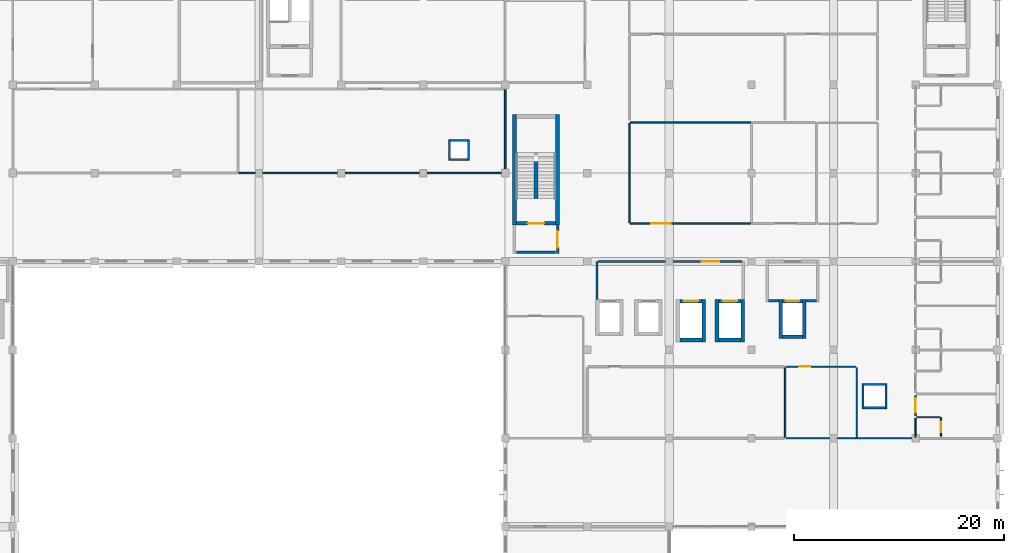
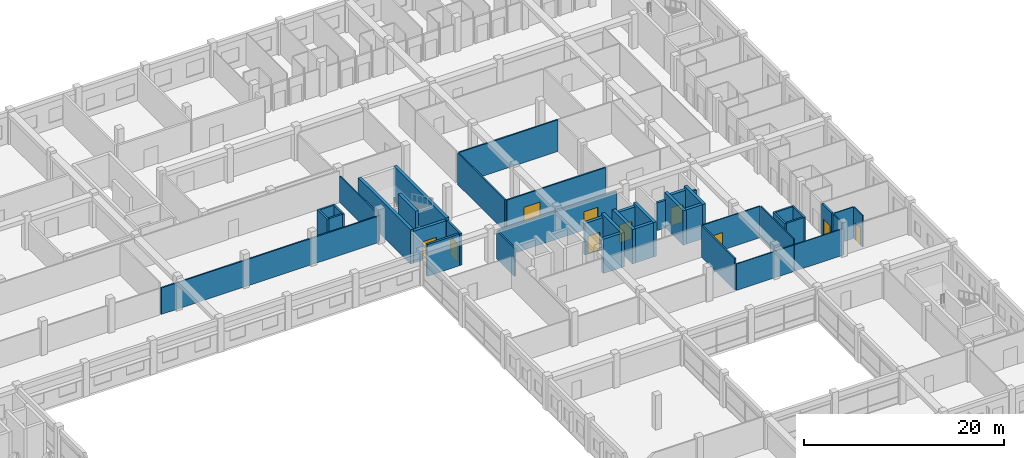
# One storey, part 34 of 53: 43 walls, 10 doors, 10 openings.
"""IFC4 building model written with IfcOpenShell, lengths in metres."""

from ifc_helpers import new_model, si_unit, direction, frame, frame_2d, origin, place, context, subcontext, project, spatial, rectangle, extrude, material, layer, layer_set, type_object, element, fill, save


model = new_model("IFC4")

# Units and contexts
model_context = context("Model", 3, precision=1e-05, world=origin(), true_north=direction((0.0, 1.0)))
body_context = subcontext(model_context, "Body", "Model", "MODEL_VIEW")
ifc_project = project(units=[si_unit("LENGTHUNIT", "METRE"), si_unit("AREAUNIT", "SQUARE_METRE"), si_unit("VOLUMEUNIT", "CUBIC_METRE"), si_unit("PLANEANGLEUNIT", "RADIAN"), si_unit("MASSUNIT", "GRAM", prefix="KILO"), si_unit("THERMODYNAMICTEMPERATUREUNIT", "KELVIN"), si_unit("POWERUNIT", "WATT")], contexts=[model_context])

# Site, building, storey
site_placement = place(None, origin())
site = spatial("IfcSite", under=ifc_project, at=site_placement, CompositionType="ELEMENT")
building_placement = place(site_placement, origin())
building = spatial("IfcBuilding", under=site, at=building_placement, Name="Srebrne Nadtorze General Hospital", CompositionType="ELEMENT")
storey_placement = place(building_placement, frame((0.0, 0.0, 18.0)))
storey = spatial("IfcBuildingStorey", under=building, at=storey_placement, Name="L04", CompositionType="ELEMENT", Elevation=18.0)

# Wall, opening, door
ifc_material_1 = material(Name="Gypsum Healthcare Partition")
ifc_layer_1 = layer(ifc_material_1, 0.159912109375)
ifc_layer_set_1 = layer_set([ifc_layer_1], Name="Gypsum Healthcare Partition")
wall_type_1 = type_object("IfcWallType", Name="Clinical partition 160", PredefinedType="PARTITIONING", material=ifc_layer_set_1)
wall_1_placement = place(storey_placement, frame((113.284912109375, 54.0, 0.0), z_axis=(0.0, 0.0, 1.0), x_axis=(1.0, 0.0, 0.0)))
wall_1 = element("IfcWall", 1, at=wall_1_placement, inside=storey, type_object=wall_type_1, Name="Nursing Station wall WL-INT-L04-1838", PredefinedType="PARTITIONING", context=body_context, shape_type="SweptSolid", body=[
    extrude(rectangle(XDim=11.43017578125, YDim=0.159912109375, at=frame_2d((5.715087890625, 0.0))), origin(), (0.0, 0.0, 1.0), 3.864990234375),
])
opening_1_placement = place(wall_1_placement, frame((1.99609375, 0.0, 0.0)))
opening_1 = element("IfcOpeningElement", 2, at=opening_1_placement, cuts=wall_1, Name="Opening D-L04-0349", PredefinedType="OPENING", context=body_context, shape_type="SweptSolid", body=[
    extrude(rectangle(XDim=1.85009765625, YDim=2.300048828125, at=frame_2d((0.925048828125, 1.14990234375))), frame((0.0, 0.091796875, 0.0), z_axis=(0.0, -1.0, 0.0), x_axis=(1.0, 0.0, 0.0)), (0.0, 0.0, 1.0), 0.183837890625),
])
ifc_material_2 = material(Name="Anodised Aluminium", Category="aluminium")
door_type_1 = type_object("IfcDoorType", Name="Double leaf door 1850x2300", OperationType="DOUBLE_DOOR_SINGLE_SWING", PredefinedType="DOOR", material=ifc_material_2)
door_1_placement = place(opening_1_placement, origin())
door_1 = element("IfcDoor", 3, at=door_1_placement, inside=storey, type_object=door_type_1, Name="Nursing Station door D-L04-0349", OperationType="DOUBLE_DOOR_SINGLE_SWING", OverallHeight=2.300048828125, OverallWidth=1.85009765625, PredefinedType="DOOR", context=body_context, shape_type="SweptSolid", body=[
    extrude(rectangle(XDim=1.85009765625, YDim=2.300048828125, at=frame_2d((0.925048828125, 1.14990234375))), frame((0.0, 0.02490234375, 0.0), z_axis=(0.0, -1.0, 0.0), x_axis=(1.0, 0.0, 0.0)), (0.0, 0.0, 1.0), 0.050048828125),
])
fill(opening_1, door_1)

# Walls
wall_2_placement = place(storey_placement, frame((113.284912109375, 63.60009765625, 0.0), z_axis=(0.0, 0.0, 1.0), x_axis=(1.0, 0.0, 0.0)))
element("IfcWall", 4, at=wall_2_placement, inside=storey, type_object=wall_type_1, Name="Nursing Station wall WL-INT-L04-1839", PredefinedType="PARTITIONING", context=body_context, shape_type="SweptSolid", body=[
    extrude(rectangle(XDim=11.43017578125, YDim=0.159912109375, at=frame_2d((5.715087890625, 0.0))), origin(), (0.0, 0.0, 1.0), 3.864990234375),
])
wall_3_placement = place(storey_placement, frame((113.199951171875, 54.0849609375, 0.0), z_axis=(0.0, 0.0, 1.0), x_axis=(0.0, 1.0, 0.0)))
element("IfcWall", 5, at=wall_3_placement, inside=storey, type_object=wall_type_1, Name="Nursing Station wall WL-INT-L04-1840", PredefinedType="PARTITIONING", context=body_context, shape_type="SweptSolid", body=[
    extrude(rectangle(XDim=9.429931640625, YDim=0.159912109375, at=frame_2d((4.71484375, 0.0))), origin(), (0.0, 0.0, 1.0), 3.864990234375),
])
wall_4_placement = place(storey_placement, frame((128.0, 33.68505859375, 0.0), z_axis=(0.0, 0.0, 1.0), x_axis=(0.0, 1.0, 0.0)))
element("IfcWall", 6, at=wall_4_placement, inside=storey, type_object=wall_type_1, Name="Inpatient Family Consultation Room wall WL-INT-L04-1860", PredefinedType="PARTITIONING", context=body_context, shape_type="SweptSolid", body=[
    extrude(rectangle(XDim=6.6298828125, YDim=0.159912109375, at=frame_2d((3.31494140625, 0.0))), origin(), (0.0, 0.0, 1.0), 3.864990234375),
])
wall_5_placement = place(storey_placement, frame((76.0849609375, 58.800048828125, 0.0), z_axis=(0.0, 0.0, 1.0), x_axis=(1.0, 0.0, 0.0)))
element("IfcWall", 7, at=wall_5_placement, inside=storey, type_object=wall_type_1, Name="Day Surgery Pre-Operative Suite wall WL-INT-L04-1901", PredefinedType="PARTITIONING", context=body_context, shape_type="SweptSolid", body=[
    extrude(rectangle(XDim=25.22998046875, YDim=0.159912109375, at=frame_2d((12.614990234375, 0.0))), origin(), (0.0, 0.0, 1.0), 3.235107421875),
])
wall_6_placement = place(storey_placement, frame((101.39990234375, 58.885009765625, 0.0), z_axis=(0.0, 0.0, 1.0), x_axis=(0.0, 1.0, 0.0)))
element("IfcWall", 8, at=wall_6_placement, inside=storey, type_object=wall_type_1, Name="Day Surgery Pre-Operative Suite wall WL-INT-L04-1902", PredefinedType="PARTITIONING", context=body_context, shape_type="SweptSolid", body=[
    extrude(rectangle(XDim=7.830078125, YDim=0.159912109375, at=frame_2d((3.9150390625, 0.0))), origin(), (0.0, 0.0, 1.0), 3.235107421875),
])
ifc_material_3 = material(Name="Gypsum Healthcare Partition")
ifc_layer_2 = layer(ifc_material_3, 0.199951171875)
ifc_layer_set_2 = layer_set([ifc_layer_2], Name="Gypsum Healthcare Partition")
wall_type_2 = type_object("IfcWallType", Name="Compartment wall 200", PredefinedType="STANDARD", material=ifc_layer_set_2)
wall_7_placement = place(storey_placement, frame((110.1298828125, 46.81005859375, 0.0), z_axis=(0.0, 0.0, 1.0), x_axis=(0.0, 1.0, 0.0)))
element("IfcWall", 9, at=wall_7_placement, inside=storey, type_object=wall_type_2, Name="Lift lobby side wall WL-INT-L04-1073", PredefinedType="STANDARD", context=body_context, shape_type="SweptSolid", body=[
    extrude(rectangle(XDim=3.58984375, YDim=0.199951171875, at=frame_2d((1.794921875, 0.0))), origin(), (0.0, 0.0, 1.0), 3.385009765625),
])

# Wall, opening, door
wall_8_placement = place(storey_placement, frame((110.22998046875, 50.39990234375, 0.0), z_axis=(0.0, 0.0, 1.0), x_axis=(1.0, 0.0, 0.0)))
wall_8 = element("IfcWall", 10, at=wall_8_placement, inside=storey, type_object=wall_type_2, Name="Lift lobby corridor wall WL-INT-L04-1075", PredefinedType="STANDARD", context=body_context, shape_type="SweptSolid", body=[
    extrude(rectangle(XDim=13.68994140625, YDim=0.199951171875, at=frame_2d((6.844970703125, 0.0))), origin(), (0.0, 0.0, 1.0), 3.385009765625),
])
opening_2_placement = place(wall_8_placement, frame((9.844970703125, 0.0, 0.0)))
opening_2 = element("IfcOpeningElement", 11, at=opening_2_placement, cuts=wall_8, Name="Opening D-L04-0146", PredefinedType="OPENING", context=body_context, shape_type="SweptSolid", body=[
    extrude(rectangle(XDim=1.64990234375, YDim=2.25, at=frame_2d((0.824951171875, 1.125))), frame((0.0, 0.11181640625, 0.0), z_axis=(0.0, -1.0, 0.0), x_axis=(1.0, 0.0, 0.0)), (0.0, 0.0, 1.0), 0.223876953125),
])
ifc_material_4 = material(Name="Anodised Aluminium", Category="aluminium")
door_type_2 = type_object("IfcDoorType", Name="Double leaf door 1650x2250", OperationType="DOUBLE_DOOR_SINGLE_SWING", PredefinedType="DOOR", material=ifc_material_4)
door_2_placement = place(opening_2_placement, origin())
door_2 = element("IfcDoor", 12, at=door_2_placement, inside=storey, type_object=door_type_2, Name="Lift lobby corridor door D-L04-0146", OperationType="DOUBLE_DOOR_SINGLE_SWING", OverallHeight=2.25, OverallWidth=1.64990234375, PredefinedType="DOOR", context=body_context, shape_type="SweptSolid", body=[
    extrude(rectangle(XDim=1.64990234375, YDim=2.25, at=frame_2d((0.824951171875, 1.125))), frame((0.0, 0.02490234375, 0.0), z_axis=(0.0, -1.0, 0.0), x_axis=(1.0, 0.0, 0.0)), (0.0, 0.0, 1.0), 0.050048828125),
])
fill(opening_2, door_2)

# Walls
for number, where, z_axis, x_axis, name in (
    (13, (135.39990234375, 36.39990234375, 0.0), (0.0, 0.0, 1.0), (0.0, 1.0, 0.0), "MEP riser wall WL-INT-L04-1080"),
    (14, (137.60009765625, 36.39990234375, 0.0), (0.0, 0.0, 1.0), (0.0, 1.0, 0.0), "MEP riser wall WL-INT-L04-1081"),
):
    element("IfcWall", number, at=place(storey_placement, frame(where, z_axis=z_axis, x_axis=x_axis)), inside=storey, type_object=wall_type_2, Name=name, PredefinedType="STANDARD", context=body_context, shape_type="SweptSolid", body=[
        extrude(rectangle(XDim=2.400146484375, YDim=0.199951171875, at=frame_2d((1.2001953125, 0.0))), origin(), (0.0, 0.0, 1.0), 3.885009765625),
    ])
for number, where, z_axis, x_axis, name in (
    (15, (135.5, 36.5, 0.0), (0.0, 0.0, 1.0), (1.0, 0.0, 0.0), "MEP riser wall WL-INT-L04-1082"),
    (16, (135.5, 38.699951171875, 0.0), (0.0, 0.0, 1.0), (1.0, 0.0, 0.0), "MEP riser wall WL-INT-L04-1083"),
    (17, (96.10009765625, 60.0, 0.0), (0.0, 0.0, 1.0), (0.0, 1.0, 0.0), "MEP riser wall WL-INT-L04-1084"),
    (18, (97.89990234375, 60.0, 0.0), (0.0, 0.0, 1.0), (0.0, 1.0, 0.0), "MEP riser wall WL-INT-L04-1085"),
):
    element("IfcWall", number, at=place(storey_placement, frame(where, z_axis=z_axis, x_axis=x_axis)), inside=storey, type_object=wall_type_2, Name=name, PredefinedType="STANDARD", context=body_context, shape_type="SweptSolid", body=[
        extrude(rectangle(XDim=2.0, YDim=0.199951171875, at=frame_2d((1.0, 0.0))), origin(), (0.0, 0.0, 1.0), 3.885009765625),
    ])
for number, where, z_axis, x_axis, name in (
    (19, (96.199951171875, 60.10009765625, 0.0), (0.0, 0.0, 1.0), (1.0, 0.0, 0.0), "MEP riser wall WL-INT-L04-1086"),
    (20, (96.199951171875, 61.89990234375, 0.0), (0.0, 0.0, 1.0), (1.0, 0.0, 0.0), "MEP riser wall WL-INT-L04-1087"),
):
    element("IfcWall", number, at=place(storey_placement, frame(where, z_axis=z_axis, x_axis=x_axis)), inside=storey, type_object=wall_type_2, Name=name, PredefinedType="STANDARD", context=body_context, shape_type="SweptSolid", body=[
        extrude(rectangle(XDim=1.60009765625, YDim=0.199951171875, at=frame_2d((0.800048828125, 0.0))), origin(), (0.0, 0.0, 1.0), 3.885009765625),
    ])

# Wall, opening, door
wall_9_placement = place(storey_placement, frame((140.39990234375, 35.719970703125, 0.0), z_axis=(0.0, 0.0, 1.0), x_axis=(0.0, 1.0, 0.0)))
wall_9 = element("IfcWall", 21, at=wall_9_placement, inside=storey, type_object=wall_type_2, Name="Ward corridor wall WL-INT-L04-1778", PredefinedType="STANDARD", context=body_context, shape_type="SweptSolid", body=[
    extrude(rectangle(XDim=1.9599609375, YDim=0.199951171875, at=frame_2d((0.97998046875, 0.0))), origin(), (0.0, 0.0, 1.0), 3.864990234375),
])
opening_3_placement = place(wall_9_placement, frame((0.330078125, 0.0, 0.0)))
opening_3 = element("IfcOpeningElement", 22, at=opening_3_placement, cuts=wall_9, Name="Opening D-L04-0326", PredefinedType="OPENING", context=body_context, shape_type="SweptSolid", body=[
    extrude(rectangle(XDim=1.300048828125, YDim=2.14990234375, at=frame_2d((0.64990234375, 1.074951171875))), frame((0.0, 0.11181640625, 0.0), z_axis=(0.0, -1.0, 0.0), x_axis=(1.0, 0.0, 0.0)), (0.0, 0.0, 1.0), 0.223876953125),
])
ifc_material_5 = material(Name="Anodised Aluminium", Category="aluminium")
door_type_3 = type_object("IfcDoorType", Name="Single leaf door 1300x2150", OperationType="NOTDEFINED", PredefinedType="DOOR", material=ifc_material_5)
door_3_placement = place(opening_3_placement, frame((1.300048828125, 0.0, 0.0), z_axis=(0.0, 0.0, 1.0), x_axis=(-1.0, 0.0, 0.0)))
door_3 = element("IfcDoor", 23, at=door_3_placement, inside=storey, type_object=door_type_3, Name="Ward patient room door D-L04-0326", OperationType="SINGLE_SWING_RIGHT", OverallHeight=2.14990234375, OverallWidth=1.300048828125, PredefinedType="DOOR", context=body_context, shape_type="SweptSolid", body=[
    extrude(rectangle(XDim=1.300048828125, YDim=2.14990234375, at=frame_2d((0.64990234375, 1.074951171875))), frame((0.0, 0.02490234375, 0.0), z_axis=(0.0, -1.0, 0.0), x_axis=(1.0, 0.0, 0.0)), (0.0, 0.0, 1.0), 0.050048828125),
])
fill(opening_3, door_3)

ifc_material_6 = material(Name="Gypsum Healthcare Partition")
ifc_layer_3 = layer(ifc_material_6, 0.239990234375)
ifc_layer_set_3 = layer_set([ifc_layer_3], Name="Gypsum Healthcare Partition")
wall_type_3 = type_object("IfcWallType", Name="Corridor fire wall 240", PredefinedType="STANDARD", material=ifc_layer_set_3)
wall_10_placement = place(storey_placement, frame((106.375, 51.155029296875, 0.0), z_axis=(0.0, 0.0, 1.0), x_axis=(0.0, 1.0, 0.0)))
wall_10 = element("IfcWall", 24, at=wall_10_placement, inside=storey, type_object=wall_type_3, Name="Fire lobby wall ST-03 WL-INT-L04-0310", PredefinedType="STANDARD", context=body_context, shape_type="SweptSolid", body=[
    extrude(rectangle(XDim=2.695068359375, YDim=0.239990234375, at=frame_2d((1.34765625, 0.0))), origin(), (0.0, 0.0, 1.0), 3.885009765625),
])
opening_4_placement = place(wall_10_placement, frame((0.572509765625, 0.0, 0.0)))
opening_4 = element("IfcOpeningElement", 25, at=opening_4_placement, cuts=wall_10, Name="Opening D-L04-0078", PredefinedType="OPENING", context=body_context, shape_type="SweptSolid", body=[
    extrude(rectangle(XDim=1.550048828125, YDim=2.25, at=frame_2d((0.77490234375, 1.125))), frame((0.0, 0.1318359375, 0.0), z_axis=(0.0, -1.0, 0.0), x_axis=(1.0, 0.0, 0.0)), (0.0, 0.0, 1.0), 0.263916015625),
])
ifc_material_7 = material(Name="Anodised Aluminium", Category="aluminium")
door_type_4 = type_object("IfcDoorType", Name="Double leaf door 1550x2250", OperationType="DOUBLE_DOOR_SINGLE_SWING", PredefinedType="DOOR", material=ifc_material_7)
door_4_placement = place(opening_4_placement, origin())
door_4 = element("IfcDoor", 26, at=door_4_placement, inside=storey, type_object=door_type_4, Name="Fire lobby door ST-03 D-L04-0078", OperationType="DOUBLE_DOOR_SINGLE_SWING", OverallHeight=2.25, OverallWidth=1.550048828125, PredefinedType="DOOR", context=body_context, shape_type="SweptSolid", body=[
    extrude(rectangle(XDim=1.550048828125, YDim=2.25, at=frame_2d((0.77490234375, 1.125))), frame((0.0, 0.02490234375, 0.0), z_axis=(0.0, -1.0, 0.0), x_axis=(1.0, 0.0, 0.0)), (0.0, 0.0, 1.0), 0.050048828125),
])
fill(opening_4, door_4)

# Walls
wall_11_placement = place(storey_placement, frame((102.449951171875, 51.27490234375, 0.0), z_axis=(0.0, 0.0, 1.0), x_axis=(1.0, 0.0, 0.0)))
element("IfcWall", 27, at=wall_11_placement, inside=storey, type_object=wall_type_3, Name="Fire lobby entry wall ST-03 WL-INT-L04-0311", PredefinedType="STANDARD", context=body_context, shape_type="SweptSolid", body=[
    extrude(rectangle(XDim=3.75, YDim=0.239990234375, at=frame_2d((1.875, 0.0))), origin(), (0.0, 0.0, 1.0), 3.885009765625),
])
for number, where, z_axis, x_axis, name in (
    (28, (126.39990234375, 46.68994140625, 0.0), (0.0, 0.0, 1.0), (1.0, 0.0, 0.0), "FF lift lobby return wall WL-INT-L04-1070"),
    (29, (130.0, 46.68994140625, 0.0), (0.0, 0.0, 1.0), (1.0, 0.0, 0.0), "FF lift lobby return wall WL-INT-L04-1071"),
):
    element("IfcWall", number, at=place(storey_placement, frame(where, z_axis=z_axis, x_axis=x_axis)), inside=storey, type_object=wall_type_3, Name=name, PredefinedType="STANDARD", context=body_context, shape_type="SweptSolid", body=[
        extrude(rectangle(XDim=1.0, YDim=0.239990234375, at=frame_2d((0.5, 0.0))), origin(), (0.0, 0.0, 1.0), 3.385009765625),
    ])
ifc_material_8 = material(Name="Gypsum Healthcare Partition")
ifc_layer_4 = layer(ifc_material_8, 0.1201171875)
ifc_layer_set_4 = layer_set([ifc_layer_4], Name="Gypsum Healthcare Partition")
wall_type_4 = type_object("IfcWallType", Name="En-suite partition 120", PredefinedType="PARTITIONING", material=ifc_layer_set_4)
wall_12_placement = place(storey_placement, frame((140.39990234375, 33.719970703125, 0.0), z_axis=(0.0, 0.0, 1.0), x_axis=(0.0, 1.0, 0.0)))
element("IfcWall", 30, at=wall_12_placement, inside=storey, type_object=wall_type_4, Name="En-suite corridor wall WL-INT-L04-1779", PredefinedType="PARTITIONING", context=body_context, shape_type="SweptSolid", body=[
    extrude(rectangle(XDim=1.760009765625, YDim=0.1201171875, at=frame_2d((0.8798828125, 0.0))), origin(), (0.0, 0.0, 1.0), 3.864990234375),
])
wall_13_placement = place(storey_placement, frame((140.52001953125, 35.60009765625, 0.0), z_axis=(0.0, 0.0, 1.0), x_axis=(1.0, 0.0, 0.0)))
element("IfcWall", 31, at=wall_13_placement, inside=storey, type_object=wall_type_4, Name="En-suite wet wall WL-INT-L04-1780", PredefinedType="PARTITIONING", context=body_context, shape_type="SweptSolid", body=[
    extrude(rectangle(XDim=2.239990234375, YDim=0.1201171875, at=frame_2d((1.1201171875, 0.0))), origin(), (0.0, 0.0, 1.0), 3.864990234375),
])

# Wall, opening, door
wall_14_placement = place(storey_placement, frame((142.820068359375, 33.780029296875, 0.0), z_axis=(0.0, 0.0, 1.0), x_axis=(0.0, 1.0, 0.0)))
wall_14 = element("IfcWall", 32, at=wall_14_placement, inside=storey, type_object=wall_type_4, Name="En-suite wet wall WL-INT-L04-1781", PredefinedType="PARTITIONING", context=body_context, shape_type="SweptSolid", body=[
    extrude(rectangle(XDim=1.760009765625, YDim=0.1201171875, at=frame_2d((0.8798828125, 0.0))), origin(), (0.0, 0.0, 1.0), 3.864990234375),
])
opening_5_placement = place(wall_14_placement, frame((0.389892578125, 0.0, 0.0)))
opening_5 = element("IfcOpeningElement", 33, at=opening_5_placement, cuts=wall_14, Name="Opening D-L04-0327", PredefinedType="OPENING", context=body_context, shape_type="SweptSolid", body=[
    extrude(rectangle(XDim=0.97998046875, YDim=2.10009765625, at=frame_2d((0.489990234375, 1.050048828125))), frame((0.0, 0.072021484375, 0.0), z_axis=(0.0, -1.0, 0.0), x_axis=(1.0, 0.0, 0.0)), (0.0, 0.0, 1.0), 0.14404296875),
])
ifc_material_9 = material(Name="Anodised Aluminium", Category="aluminium")
door_type_5 = type_object("IfcDoorType", Name="Single leaf door 980x2100", OperationType="NOTDEFINED", PredefinedType="DOOR", material=ifc_material_9)
door_5_placement = place(opening_5_placement, origin())
door_5 = element("IfcDoor", 34, at=door_5_placement, inside=storey, type_object=door_type_5, Name="En-suite bathroom door D-L04-0327", OperationType="SINGLE_SWING_RIGHT", OverallHeight=2.10009765625, OverallWidth=0.97998046875, PredefinedType="DOOR", context=body_context, shape_type="SweptSolid", body=[
    extrude(rectangle(XDim=0.97998046875, YDim=2.10009765625, at=frame_2d((0.489990234375, 1.050048828125))), frame((0.0, 0.02490234375, 0.0), z_axis=(0.0, -1.0, 0.0), x_axis=(1.0, 0.0, 0.0)), (0.0, 0.0, 1.0), 0.050048828125),
])
fill(opening_5, door_5)

wall_15_placement = place(storey_placement, frame((128.0849609375, 40.39990234375, 0.0), z_axis=(0.0, 0.0, 1.0), x_axis=(1.0, 0.0, 0.0)))
wall_15 = element("IfcWall", 35, at=wall_15_placement, inside=storey, type_object=wall_type_4, Name="Accessible WC wall WL-INT-L04-1868", PredefinedType="PARTITIONING", context=body_context, shape_type="SweptSolid", body=[
    extrude(rectangle(XDim=6.630126953125, YDim=0.1201171875, at=frame_2d((3.31494140625, 0.0))), origin(), (0.0, 0.0, 1.0), 3.864990234375),
])
opening_6_placement = place(wall_15_placement, frame((1.27197265625, 0.0, 0.0)))
opening_6 = element("IfcOpeningElement", 36, at=opening_6_placement, cuts=wall_15, Name="Opening D-L04-0358", PredefinedType="OPENING", context=body_context, shape_type="SweptSolid", body=[
    extrude(rectangle(XDim=1.02001953125, YDim=2.14990234375, at=frame_2d((0.510009765625, 1.074951171875))), frame((0.0, 0.072021484375, 0.0), z_axis=(0.0, -1.0, 0.0), x_axis=(1.0, 0.0, 0.0)), (0.0, 0.0, 1.0), 0.14404296875),
])
ifc_material_10 = material(Name="Anodised Aluminium", Category="aluminium")
door_type_6 = type_object("IfcDoorType", Name="Single leaf door 1020x2150", OperationType="NOTDEFINED", PredefinedType="DOOR", material=ifc_material_10)
door_6_placement = place(opening_6_placement, frame((1.02001953125, 0.0, 0.0), z_axis=(0.0, 0.0, 1.0), x_axis=(-1.0, 0.0, 0.0)))
door_6 = element("IfcDoor", 37, at=door_6_placement, inside=storey, type_object=door_type_6, Name="Accessible WC door D-L04-0358", OperationType="SINGLE_SWING_RIGHT", OverallHeight=2.14990234375, OverallWidth=1.02001953125, PredefinedType="DOOR", context=body_context, shape_type="SweptSolid", body=[
    extrude(rectangle(XDim=1.02001953125, YDim=2.14990234375, at=frame_2d((0.510009765625, 1.074951171875))), frame((0.0, 0.02490234375, 0.0), z_axis=(0.0, -1.0, 0.0), x_axis=(1.0, 0.0, 0.0)), (0.0, 0.0, 1.0), 0.050048828125),
])
fill(opening_6, door_6)

# Walls
wall_16_placement = place(storey_placement, frame((128.0849609375, 33.60009765625, 0.0), z_axis=(0.0, 0.0, 1.0), x_axis=(1.0, 0.0, 0.0)))
element("IfcWall", 38, at=wall_16_placement, inside=storey, type_object=wall_type_4, Name="Accessible WC wall WL-INT-L04-1869", PredefinedType="PARTITIONING", context=body_context, shape_type="SweptSolid", body=[
    extrude(rectangle(XDim=6.630126953125, YDim=0.1201171875, at=frame_2d((3.31494140625, 0.0))), origin(), (0.0, 0.0, 1.0), 3.235107421875),
])
wall_17_placement = place(storey_placement, frame((134.800048828125, 33.68505859375, 0.0), z_axis=(0.0, 0.0, 1.0), x_axis=(0.0, 1.0, 0.0)))
element("IfcWall", 39, at=wall_17_placement, inside=storey, type_object=wall_type_4, Name="Accessible WC wall WL-INT-L04-1870", PredefinedType="PARTITIONING", context=body_context, shape_type="SweptSolid", body=[
    extrude(rectangle(XDim=6.6298828125, YDim=0.1201171875, at=frame_2d((3.31494140625, 0.0))), origin(), (0.0, 0.0, 1.0), 3.864990234375),
])
ifc_material_11 = material(Name="Gypsum Healthcare Partition")
ifc_layer_5 = layer(ifc_material_11, 0.10009765625)
ifc_layer_set_5 = layer_set([ifc_layer_5], Name="Gypsum Healthcare Partition")
wall_type_5 = type_object("IfcWallType", Name="Shaft lining wall 100", PredefinedType="PARTITIONING", material=ifc_layer_set_5)
wall_18_placement = place(storey_placement, frame((134.7548828125, 33.60009765625, 0.0), z_axis=(0.0, 0.0, 1.0), x_axis=(1.0, 0.0, 0.0)))
element("IfcWall", 40, at=wall_18_placement, inside=storey, type_object=wall_type_5, Name="Outpatient Oncology Day Infusion Ward wall WL-INT-L04-1920", PredefinedType="PARTITIONING", context=body_context, shape_type="SweptSolid", body=[
    extrude(rectangle(XDim=5.72509765625, YDim=0.10009765625, at=frame_2d((2.862548828125, 0.0))), origin(), (0.0, 0.0, 1.0), 3.235107421875),
])
ifc_material_12 = material(Name="Concrete C40/50", Category="concrete")
ifc_layer_6 = layer(ifc_material_12, 0.35009765625)
ifc_layer_set_6 = layer_set([ifc_layer_6], Name="Concrete C40/50")
wall_type_6 = type_object("IfcWallType", Name="Shear core wall 350", PredefinedType="SHEAR", material=ifc_layer_set_6)
for number, where, z_axis, x_axis, name in (
    (41, (102.27490234375, 53.85009765625, 0.0), (0.0, 0.0, 1.0), (0.0, 1.0, 0.0), "Stair core wall ST-03 WL-INT-L04-0305"),
    (42, (106.375, 53.85009765625, 0.0), (0.0, 0.0, 1.0), (0.0, 1.0, 0.0), "Stair core wall ST-03 WL-INT-L04-0306"),
):
    element("IfcWall", number, at=place(storey_placement, frame(where, z_axis=z_axis, x_axis=x_axis)), inside=storey, type_object=wall_type_6, Name=name, PredefinedType="SHEAR", context=body_context, shape_type="SweptSolid", body=[
        extrude(rectangle(XDim=10.5, YDim=0.35009765625, at=frame_2d((5.25, 0.0))), origin(), (0.0, 0.0, 1.0), 4.199951171875),
    ])

# Wall, opening, door
wall_19_placement = place(storey_placement, frame((102.449951171875, 54.02490234375, 0.0), z_axis=(0.0, 0.0, 1.0), x_axis=(1.0, 0.0, 0.0)))
wall_19 = element("IfcWall", 43, at=wall_19_placement, inside=storey, type_object=wall_type_6, Name="Stairwell fire wall ST-03 WL-INT-L04-0308", PredefinedType="SHEAR", context=body_context, shape_type="SweptSolid", body=[
    extrude(rectangle(XDim=3.75, YDim=0.35009765625, at=frame_2d((1.875, 0.0))), origin(), (0.0, 0.0, 1.0), 3.885009765625),
])
opening_7_placement = place(wall_19_placement, frame((1.10009765625, 0.0, 0.0)))
opening_7 = element("IfcOpeningElement", 44, at=opening_7_placement, cuts=wall_19, Name="Opening D-L04-0077", PredefinedType="OPENING", context=body_context, shape_type="SweptSolid", body=[
    extrude(rectangle(XDim=1.550048828125, YDim=2.25, at=frame_2d((0.77490234375, 1.125))), frame((0.0, 0.18701171875, 0.0), z_axis=(0.0, -1.0, 0.0), x_axis=(1.0, 0.0, 0.0)), (0.0, 0.0, 1.0), 0.3740234375),
])
door_7_placement = place(opening_7_placement, origin())
door_7 = element("IfcDoor", 45, at=door_7_placement, inside=storey, type_object=door_type_4, Name="Protected stair door ST-03 D-L04-0077", OperationType="DOUBLE_DOOR_SINGLE_SWING", OverallHeight=2.25, OverallWidth=1.550048828125, PredefinedType="DOOR", context=body_context, shape_type="SweptSolid", body=[
    extrude(rectangle(XDim=1.550048828125, YDim=2.25, at=frame_2d((0.77490234375, 1.125))), frame((0.0, 0.02490234375, 0.0), z_axis=(0.0, -1.0, 0.0), x_axis=(1.0, 0.0, 0.0)), (0.0, 0.0, 1.0), 0.050048828125),
])
fill(opening_7, door_7)

# Walls
wall_20_placement = place(storey_placement, frame((104.324951171875, 56.39990234375, 0.0), z_axis=(0.0, 0.0, 1.0), x_axis=(0.0, 1.0, 0.0)))
element("IfcWall", 46, at=wall_20_placement, inside=storey, type_object=wall_type_6, Name="Stair spine wall ST-03 WL-INT-L04-0312", PredefinedType="SHEAR", context=body_context, shape_type="SweptSolid", body=[
    extrude(rectangle(XDim=3.52001953125, YDim=0.35009765625, at=frame_2d((1.760009765625, 0.0))), origin(), (0.0, 0.0, 1.0), 4.199951171875),
])
wall_21_placement = place(storey_placement, frame((120.27490234375, 42.760009765625, 0.0), z_axis=(0.0, 0.0, 1.0), x_axis=(0.0, 1.0, 0.0)))
element("IfcWall", 47, at=wall_21_placement, inside=storey, type_object=wall_type_6, Name="Lift shaft wall LS-03 WL-INT-L04-0783", PredefinedType="SHEAR", context=body_context, shape_type="SweptSolid", body=[
    extrude(rectangle(XDim=4.050048828125, YDim=0.35009765625, at=frame_2d((2.02490234375, 0.0))), origin(), (0.0, 0.0, 1.0), 4.199951171875),
])
wall_22_placement = place(storey_placement, frame((118.0, 42.93505859375, 0.0), z_axis=(0.0, 0.0, 1.0), x_axis=(1.0, 0.0, 0.0)))
element("IfcWall", 48, at=wall_22_placement, inside=storey, type_object=wall_type_6, Name="Lift shaft back wall LS-03 WL-INT-L04-0784", PredefinedType="SHEAR", context=body_context, shape_type="SweptSolid", body=[
    extrude(rectangle(XDim=2.10009765625, YDim=0.35009765625, at=frame_2d((1.050048828125, 0.0))), origin(), (0.0, 0.0, 1.0), 4.199951171875),
])

# Wall, opening, door
wall_23_placement = place(storey_placement, frame((118.0, 46.635009765625, 0.0), z_axis=(0.0, 0.0, 1.0), x_axis=(1.0, 0.0, 0.0)))
wall_23 = element("IfcWall", 49, at=wall_23_placement, inside=storey, type_object=wall_type_6, Name="Lift shaft front wall LS-03 WL-INT-L04-0785", PredefinedType="SHEAR", context=body_context, shape_type="SweptSolid", body=[
    extrude(rectangle(XDim=2.10009765625, YDim=0.35009765625, at=frame_2d((1.050048828125, 0.0))), origin(), (0.0, 0.0, 1.0), 3.885009765625),
])
opening_8_placement = place(wall_23_placement, frame((0.35009765625, 0.0, 0.0)))
opening_8 = element("IfcOpeningElement", 50, at=opening_8_placement, cuts=wall_23, Name="Opening LD-L04-080", PredefinedType="OPENING", context=body_context, shape_type="SweptSolid", body=[
    extrude(rectangle(XDim=1.39990234375, YDim=2.199951171875, at=frame_2d((0.699951171875, 1.10009765625))), frame((0.0, 0.18701171875, 0.0), z_axis=(0.0, -1.0, 0.0), x_axis=(1.0, 0.0, 0.0)), (0.0, 0.0, 1.0), 0.3740234375),
])
ifc_material_13 = material(Name="Anodised Aluminium", Category="aluminium")
door_type_7 = type_object("IfcDoorType", Name="Sliding lift door 1400x2200", OperationType="SLIDING_TO_LEFT", PredefinedType="DOOR", material=ifc_material_13)
door_8_placement = place(opening_8_placement, origin())
door_8 = element("IfcDoor", 51, at=door_8_placement, inside=storey, type_object=door_type_7, Name="Lift Landing Door LD-L04-080", OperationType="SLIDING_TO_LEFT", OverallHeight=2.199951171875, OverallWidth=1.39990234375, PredefinedType="DOOR", context=body_context, shape_type="SweptSolid", body=[
    extrude(rectangle(XDim=1.39990234375, YDim=2.199951171875, at=frame_2d((0.699951171875, 1.10009765625))), frame((0.0, 0.02490234375, 0.0), z_axis=(0.0, -1.0, 0.0), x_axis=(1.0, 0.0, 0.0)), (0.0, 0.0, 1.0), 0.050048828125),
])
fill(opening_8, door_8)

# Walls
for number, where, z_axis, x_axis, name in (
    (52, (121.52490234375, 42.760009765625, 0.0), (0.0, 0.0, 1.0), (0.0, 1.0, 0.0), "Lift shaft wall LS-04 WL-INT-L04-0818"),
    (53, (123.97509765625, 42.760009765625, 0.0), (0.0, 0.0, 1.0), (0.0, 1.0, 0.0), "Lift shaft wall LS-04 WL-INT-L04-0819"),
):
    element("IfcWall", number, at=place(storey_placement, frame(where, z_axis=z_axis, x_axis=x_axis)), inside=storey, type_object=wall_type_6, Name=name, PredefinedType="SHEAR", context=body_context, shape_type="SweptSolid", body=[
        extrude(rectangle(XDim=4.050048828125, YDim=0.35009765625, at=frame_2d((2.02490234375, 0.0))), origin(), (0.0, 0.0, 1.0), 4.199951171875),
    ])
wall_24_placement = place(storey_placement, frame((121.699951171875, 42.93505859375, 0.0), z_axis=(0.0, 0.0, 1.0), x_axis=(1.0, 0.0, 0.0)))
element("IfcWall", 54, at=wall_24_placement, inside=storey, type_object=wall_type_6, Name="Lift shaft back wall LS-04 WL-INT-L04-0820", PredefinedType="SHEAR", context=body_context, shape_type="SweptSolid", body=[
    extrude(rectangle(XDim=2.10009765625, YDim=0.35009765625, at=frame_2d((1.050048828125, 0.0))), origin(), (0.0, 0.0, 1.0), 4.199951171875),
])

# Wall, opening, door
wall_25_placement = place(storey_placement, frame((121.699951171875, 46.635009765625, 0.0), z_axis=(0.0, 0.0, 1.0), x_axis=(1.0, 0.0, 0.0)))
wall_25 = element("IfcWall", 55, at=wall_25_placement, inside=storey, type_object=wall_type_6, Name="Lift shaft front wall LS-04 WL-INT-L04-0821", PredefinedType="SHEAR", context=body_context, shape_type="SweptSolid", body=[
    extrude(rectangle(XDim=2.10009765625, YDim=0.35009765625, at=frame_2d((1.050048828125, 0.0))), origin(), (0.0, 0.0, 1.0), 3.885009765625),
])
opening_9_placement = place(wall_25_placement, frame((0.35009765625, 0.0, 0.0)))
opening_9 = element("IfcOpeningElement", 56, at=opening_9_placement, cuts=wall_25, Name="Opening LD-L04-089", PredefinedType="OPENING", context=body_context, shape_type="SweptSolid", body=[
    extrude(rectangle(XDim=1.39990234375, YDim=2.199951171875, at=frame_2d((0.699951171875, 1.10009765625))), frame((0.0, 0.18701171875, 0.0), z_axis=(0.0, -1.0, 0.0), x_axis=(1.0, 0.0, 0.0)), (0.0, 0.0, 1.0), 0.3740234375),
])
door_9_placement = place(opening_9_placement, origin())
door_9 = element("IfcDoor", 57, at=door_9_placement, inside=storey, type_object=door_type_7, Name="Lift Landing Door LD-L04-089", OperationType="SLIDING_TO_LEFT", OverallHeight=2.199951171875, OverallWidth=1.39990234375, PredefinedType="DOOR", context=body_context, shape_type="SweptSolid", body=[
    extrude(rectangle(XDim=1.39990234375, YDim=2.199951171875, at=frame_2d((0.699951171875, 1.10009765625))), frame((0.0, 0.02490234375, 0.0), z_axis=(0.0, -1.0, 0.0), x_axis=(1.0, 0.0, 0.0)), (0.0, 0.0, 1.0), 0.050048828125),
])
fill(opening_9, door_9)

# Walls
for number, where, z_axis, x_axis, name in (
    (58, (127.574951171875, 43.06005859375, 0.0), (0.0, 0.0, 1.0), (0.0, 1.0, 0.0), "Lift shaft wall FL-03 WL-INT-L04-0854"),
    (59, (129.824951171875, 43.06005859375, 0.0), (0.0, 0.0, 1.0), (0.0, 1.0, 0.0), "Lift shaft wall FL-03 WL-INT-L04-0855"),
):
    element("IfcWall", number, at=place(storey_placement, frame(where, z_axis=z_axis, x_axis=x_axis)), inside=storey, type_object=wall_type_6, Name=name, PredefinedType="SHEAR", context=body_context, shape_type="SweptSolid", body=[
        extrude(rectangle(XDim=3.75, YDim=0.35009765625, at=frame_2d((1.875, 0.0))), origin(), (0.0, 0.0, 1.0), 4.199951171875),
    ])
wall_26_placement = place(storey_placement, frame((127.75, 43.235107421875, 0.0), z_axis=(0.0, 0.0, 1.0), x_axis=(1.0, 0.0, 0.0)))
element("IfcWall", 60, at=wall_26_placement, inside=storey, type_object=wall_type_6, Name="Lift shaft back wall FL-03 WL-INT-L04-0856", PredefinedType="SHEAR", context=body_context, shape_type="SweptSolid", body=[
    extrude(rectangle(XDim=1.89990234375, YDim=0.35009765625, at=frame_2d((0.949951171875, 0.0))), origin(), (0.0, 0.0, 1.0), 4.199951171875),
])

# Wall, opening, door
wall_27_placement = place(storey_placement, frame((127.75, 46.635009765625, 0.0), z_axis=(0.0, 0.0, 1.0), x_axis=(1.0, 0.0, 0.0)))
wall_27 = element("IfcWall", 61, at=wall_27_placement, inside=storey, type_object=wall_type_6, Name="Lift shaft front wall FL-03 WL-INT-L04-0857", PredefinedType="SHEAR", context=body_context, shape_type="SweptSolid", body=[
    extrude(rectangle(XDim=1.89990234375, YDim=0.35009765625, at=frame_2d((0.949951171875, 0.0))), origin(), (0.0, 0.0, 1.0), 3.885009765625),
])
opening_10_placement = place(wall_27_placement, frame((0.300048828125, 0.0, 0.0)))
opening_10 = element("IfcOpeningElement", 62, at=opening_10_placement, cuts=wall_27, Name="Opening LD-L04-098", PredefinedType="OPENING", context=body_context, shape_type="SweptSolid", body=[
    extrude(rectangle(XDim=1.300048828125, YDim=2.199951171875, at=frame_2d((0.64990234375, 1.10009765625))), frame((0.0, 0.18701171875, 0.0), z_axis=(0.0, -1.0, 0.0), x_axis=(1.0, 0.0, 0.0)), (0.0, 0.0, 1.0), 0.3740234375),
])
ifc_material_14 = material(Name="Anodised Aluminium", Category="aluminium")
door_type_8 = type_object("IfcDoorType", Name="Sliding lift door 1300x2200", OperationType="SLIDING_TO_LEFT", PredefinedType="DOOR", material=ifc_material_14)
door_10_placement = place(opening_10_placement, origin())
door_10 = element("IfcDoor", 63, at=door_10_placement, inside=storey, type_object=door_type_8, Name="Lift Landing Door LD-L04-098", OperationType="SLIDING_TO_LEFT", OverallHeight=2.199951171875, OverallWidth=1.300048828125, PredefinedType="DOOR", context=body_context, shape_type="SweptSolid", body=[
    extrude(rectangle(XDim=1.300048828125, YDim=2.199951171875, at=frame_2d((0.64990234375, 1.10009765625))), frame((0.0, 0.02490234375, 0.0), z_axis=(0.0, -1.0, 0.0), x_axis=(1.0, 0.0, 0.0)), (0.0, 0.0, 1.0), 0.050048828125),
])
fill(opening_10, door_10)

save(model, "model.ifc")
